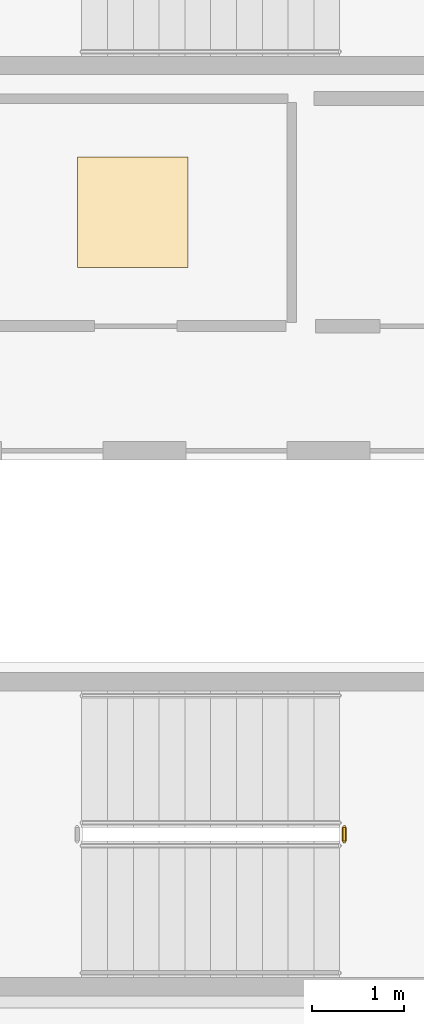
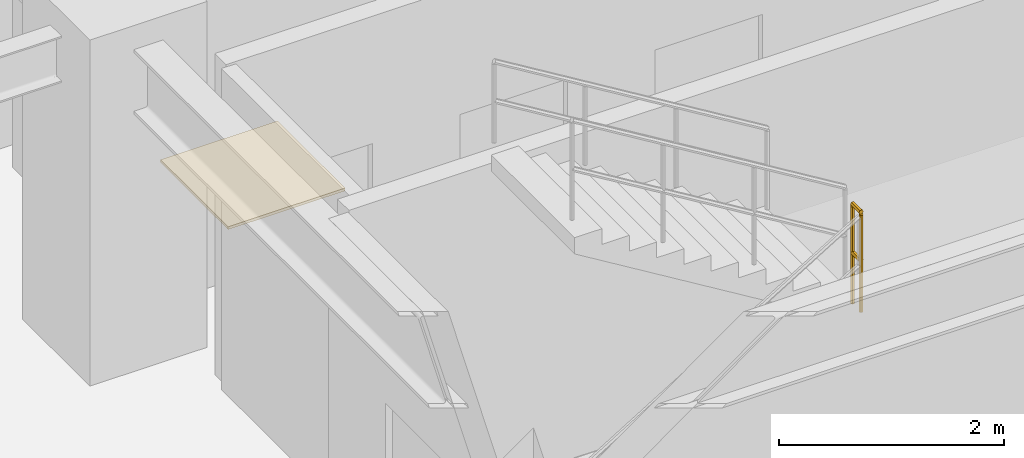
# One storey, part 26 of 28: 1 covering, 1 railing.
"""IFC4 building model written with IfcOpenShell, lengths in metres."""

from ifc_helpers import new_model, si_unit, direction, frame, origin, origin_2d, place, context, subcontext, project, spatial, polyline, rectangle, outline, extrude, source, transform, mapped, material, layer, layer_set, type_object, element, save


model = new_model("IFC4")

# Units and contexts
model_context = context("Model", 3, precision=1e-05, world=origin(), true_north=direction((0.0, 1.0)))
body_context = subcontext(model_context, "Body", "Model", "MODEL_VIEW")
ifc_project = project(units=[si_unit("LENGTHUNIT", "METRE"), si_unit("AREAUNIT", "SQUARE_METRE"), si_unit("VOLUMEUNIT", "CUBIC_METRE"), si_unit("PLANEANGLEUNIT", "RADIAN"), si_unit("MASSUNIT", "GRAM", prefix="KILO")], contexts=[model_context])

# Site, building, storey
site_placement = place(None, origin())
site = spatial("IfcSite", under=ifc_project, at=site_placement, CompositionType="ELEMENT")
building_placement = place(site_placement, origin())
building = spatial("IfcBuilding", under=site, at=building_placement, Name="Kelanora Arch Commons", CompositionType="ELEMENT")
storey_placement = place(building_placement, frame((0.0, 0.0, 161.85009765625)))
storey = spatial("IfcBuildingStorey", under=building, at=storey_placement, Name="L41", CompositionType="ELEMENT", Elevation=161.85009765625)

# Railing
ifc_material_1 = material(Name="Painted steel stair well guard", Category="steel")
railing_type = type_object("IfcRailingType", Name="RAIL-STAIR-GRD", PredefinedType="GUARDRAIL", material=ifc_material_1)
railing_placement = place(storey_placement, frame((70.570068359375, 52.659912109375, 1.875)))
element("IfcRailing", 1, at=railing_placement, inside=storey, type_object=railing_type, Name="L41 ST-T3 stair guard 2", PredefinedType="GUARDRAIL", context=body_context, shape_type="SweptSolid", body=[
    extrude(outline(polyline([(0.02392578125, 0.0), (0.011962890625, 0.020751953125), (-0.011962890625, 0.020751953125), (-0.02392578125, 0.0), (-0.011962890625, -0.020751953125), (0.011962890625, -0.020751953125), (0.02392578125, 0.0)])), frame((0.0, 0.0, 1.076171875), z_axis=(0.0, 1.0, 0.0), x_axis=(-1.0, 0.0, 0.0)), (0.0, 0.0, 1.0), 0.150146484375),
    extrude(outline(polyline([(0.02392578125, 0.0), (0.011962890625, 0.020751953125), (-0.011962890625, 0.020751953125), (-0.02392578125, 0.0), (-0.011962890625, -0.020751953125), (0.011962890625, -0.020751953125), (0.02392578125, 0.0)])), frame((0.0, 0.0, 0.550048828125), z_axis=(0.0, 1.0, 0.0), x_axis=(-1.0, 0.0, 0.0)), (0.0, 0.0, 1.0), 0.150146484375),
    extrude(outline(polyline([(0.02099609375, 0.0), (0.010498046875, 0.01806640625), (-0.010498046875, 0.01806640625), (-0.02099609375, 0.0), (-0.010498046875, -0.01806640625), (0.010498046875, -0.01806640625), (0.02099609375, 0.0)])), origin(), (0.0, 0.0, 1.0), 1.052001953125),
    extrude(outline(polyline([(0.02099609375, 0.0), (0.010498046875, 0.01806640625), (-0.010498046875, 0.01806640625), (-0.02099609375, 0.0), (-0.010498046875, -0.01806640625), (0.010498046875, -0.01806640625), (0.02099609375, 0.0)])), frame((0.0, 0.150146484375, 0.0)), (0.0, 0.0, 1.0), 1.052001953125),
])

# Covering
ifc_material_2 = material(Name="Polished local granite terrazzo flooring", Category="masonry")
ifc_layer = layer(ifc_material_2, 0.030029296875)
ifc_layer_set = layer_set([ifc_layer], Name="Polished local granite terrazzo flooring")
covering_type = type_object("IfcCoveringType", Name="COV-FLR-TER", PredefinedType="FLOORING", material=ifc_layer_set)
shared_shape = source(origin(), body_context, "Body", "SweptSolid", [
    extrude(rectangle(XDim=1.199951171875, YDim=1.199951171875, at=origin_2d()), origin(), (0.0, 0.0, 1.0), 0.030029296875),
])
covering_placement = place(storey_placement, frame((68.27490234375, 59.485107421875, 0.0), z_axis=(0.0, 0.0, 1.0), x_axis=(1.0, 0.0, 0.0)))
element("IfcCovering", 2, at=covering_placement, inside=storey, type_object=covering_type, Name="Reclaimed Core Quiet Phone Booths L41 Terrazzo Finish", PredefinedType="FLOORING", context=body_context, shape_type="MappedRepresentation", body=[
    mapped(shared_shape, transform((0.0, 0.0, 0.0), scale=1.0)),
])

save(model, "model.ifc")
